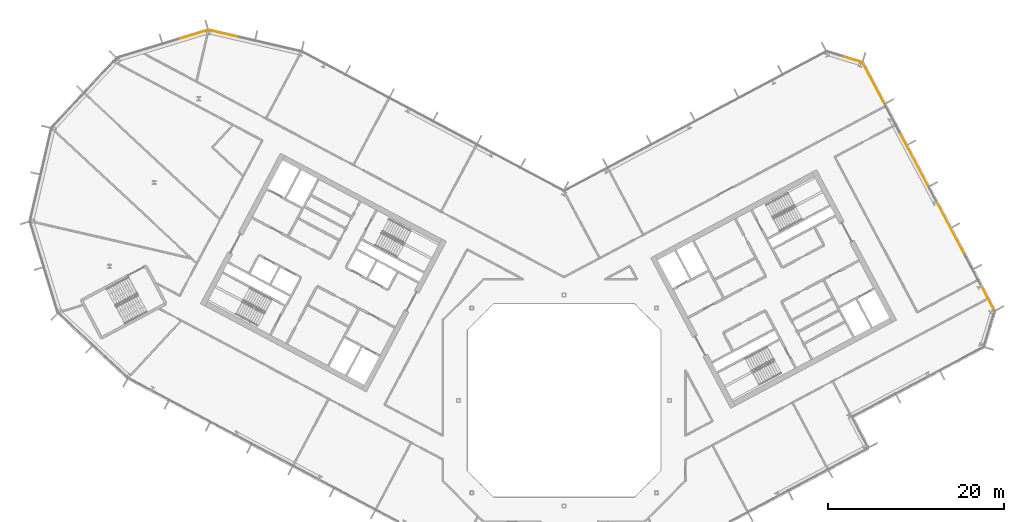
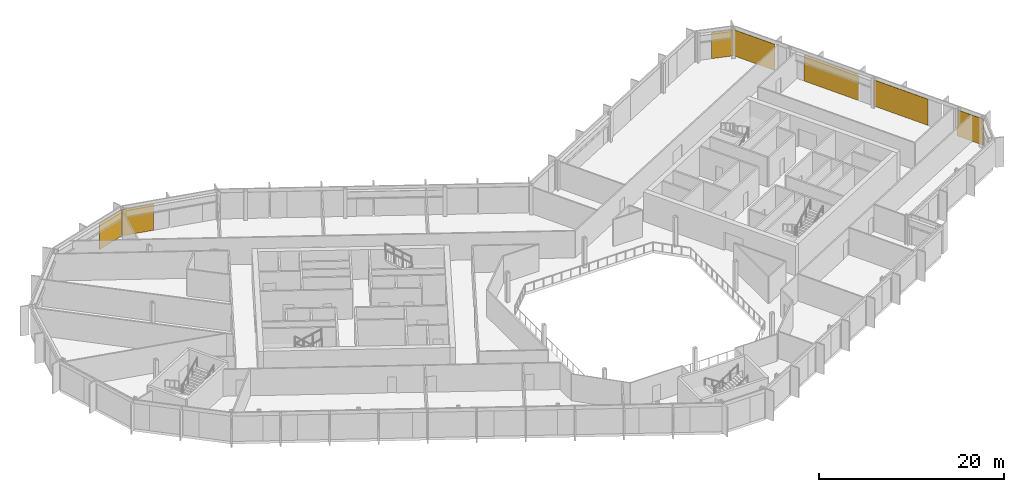
# One storey, part 26 of 26: 7 coverings, 4 elements without a shape of their own.
"""IFC4 building model written with IfcOpenShell, lengths in metres."""

from ifc_helpers import new_model, si_unit, direction, frame, origin, origin_2d, place, context, subcontext, project, spatial, rectangle, extrude, material, layer, layer_set, type_object, element, aggregate, save


model = new_model("IFC4")

# Units and contexts
model_context = context("Model", 3, precision=1e-05, world=origin(), true_north=direction((0.0, 1.0)))
body_context = subcontext(model_context, "Body", "Model", "MODEL_VIEW")
ifc_project = project(units=[si_unit("LENGTHUNIT", "METRE"), si_unit("AREAUNIT", "SQUARE_METRE"), si_unit("VOLUMEUNIT", "CUBIC_METRE"), si_unit("PLANEANGLEUNIT", "RADIAN"), si_unit("MASSUNIT", "GRAM", prefix="KILO")], contexts=[model_context])

# Site, building, storey
site_placement = place(None, origin())
site = spatial("IfcSite", under=ifc_project, at=site_placement, CompositionType="ELEMENT")
building_placement = place(site_placement, origin())
building = spatial("IfcBuilding", under=site, at=building_placement, Name="Cormorant Relay Tower", CompositionType="ELEMENT")
storey_placement = place(building_placement, frame((0.0, 0.0, 205.199951171875)))
storey = spatial("IfcBuildingStorey", under=building, at=storey_placement, Name="L44", CompositionType="ELEMENT", Elevation=205.199951171875)

# Curtain wall, coverings
ifc_material_1 = material(Name="Aluminium 6063-T6 anodised bronze", Category="aluminium")
ifc_layer_1 = layer(ifc_material_1, 0.199951171875)
ifc_layer_set_1 = layer_set([ifc_layer_1], Name="CW1 unitised bronze curtain wall with vertical fins")
curtain_wall_type = type_object("IfcCurtainWallType", Name="CW1 unitised bronze curtain wall with vertical fins", PredefinedType="NOTDEFINED", material=ifc_layer_set_1)
curtain_wall_1_placement = place(storey_placement, origin())
curtain_wall_1 = element("IfcCurtainWall", 1, at=curtain_wall_1_placement, inside=storey, type_object=curtain_wall_type, Name="CW1 curtain wall 6", PredefinedType="NOTDEFINED")
ifc_material_2 = material(Name="Pale bronze anodised aluminium insulated panel", Category="aluminium")
ifc_layer_2 = layer(ifc_material_2, 0.0400390625)
ifc_layer_set_2 = layer_set([ifc_layer_2], Name="CW1 pale bronze insulated panel 40")
covering_type = type_object("IfcCoveringType", Name="CW1 pale bronze insulated panel 40", PredefinedType="CLADDING", material=ifc_layer_set_2)
covering_1_placement = place(storey_placement, frame((48.142333984375, 11.74267578125, 0.0), z_axis=(0.0, 0.0, 1.0), x_axis=(-0.469471562786, 0.882947592859, 0.0)))
covering_1 = element("IfcCovering", 2, at=covering_1_placement, type_object=covering_type, Name="CW1 panel S00", PredefinedType="CLADDING", context=body_context, shape_type="SweptSolid", body=[
    extrude(rectangle(XDim=3.38330078125, YDim=0.0400390625, at=origin_2d()), origin(), (0.0, 0.0, 1.0), 3.449951171875),
])
covering_2_placement = place(storey_placement, frame((43.964111328125, 19.600830078125, 0.0), z_axis=(0.0, 0.0, 1.0), x_axis=(-0.469471562786, 0.882947592859, 0.0)))
covering_2 = element("IfcCovering", 3, at=covering_2_placement, type_object=covering_type, Name="CW1 panel S03", PredefinedType="CLADDING", context=body_context, shape_type="SweptSolid", body=[
    extrude(rectangle(XDim=6.916748046875, YDim=0.0400390625, at=origin_2d()), origin(), (0.0, 0.0, 1.0), 3.449951171875),
])
covering_3_placement = place(storey_placement, frame((39.801513671875, 27.4296875, 0.0), z_axis=(0.0, 0.0, 1.0), x_axis=(-0.469471562786, 0.882947592859, 0.0)))
covering_3 = element("IfcCovering", 4, at=covering_3_placement, type_object=covering_type, Name="CW1 panel S05", PredefinedType="CLADDING", context=body_context, shape_type="SweptSolid", body=[
    extrude(rectangle(XDim=6.916748046875, YDim=0.0400390625, at=origin_2d()), origin(), (0.0, 0.0, 1.0), 3.449951171875),
])
covering_4_placement = place(storey_placement, frame((35.18310546875, 36.11572265625, 0.0), z_axis=(0.0, 0.0, 1.0), x_axis=(-0.469471562786, 0.882947592859, 0.0)))
covering_4 = element("IfcCovering", 5, at=covering_4_placement, type_object=covering_type, Name="CW1 panel S07", PredefinedType="CLADDING", context=body_context, shape_type="SweptSolid", body=[
    extrude(rectangle(XDim=5.25830078125, YDim=0.0400390625, at=origin_2d()), origin(), (0.0, 0.0, 1.0), 3.449951171875),
])
aggregate(curtain_wall_1, [covering_1, covering_2, covering_3, covering_4])

# Curtain wall, covering
curtain_wall_2_placement = place(storey_placement, origin())
curtain_wall_2 = element("IfcCurtainWall", 6, at=curtain_wall_2_placement, inside=storey, type_object=curtain_wall_type, Name="CW1 curtain wall 7", PredefinedType="NOTDEFINED")
covering_5_placement = place(storey_placement, frame((32.73291015625, 38.81494140625, 0.0), z_axis=(0.0, 0.0, 1.0), x_axis=(-0.956304755963, 0.292371704723, 0.0)))
covering_5 = element("IfcCovering", 7, at=covering_5_placement, type_object=covering_type, Name="CW1 panel S00", PredefinedType="CLADDING", context=body_context, shape_type="SweptSolid", body=[
    extrude(rectangle(XDim=2.36767578125, YDim=0.0400390625, at=origin_2d()), origin(), (0.0, 0.0, 1.0), 3.449951171875),
])
aggregate(curtain_wall_2, [covering_5])

curtain_wall_3_placement = place(storey_placement, origin())
curtain_wall_3 = element("IfcCurtainWall", 8, at=curtain_wall_3_placement, inside=storey, type_object=curtain_wall_type, Name="CW1 curtain wall 10", PredefinedType="NOTDEFINED")
covering_6_placement = place(storey_placement, frame((-38.7265625, 41.732421875, 0.0), z_axis=(0.0, 0.0, 1.0), x_axis=(-0.974370064785, 0.224951054344, 0.0)))
covering_6 = element("IfcCovering", 9, at=covering_6_placement, type_object=covering_type, Name="CW1 panel S03", PredefinedType="CLADDING", context=body_context, shape_type="SweptSolid", body=[
    extrude(rectangle(XDim=3.560302734375, YDim=0.0400390625, at=origin_2d()), origin(), (0.0, 0.0, 1.0), 3.449951171875),
])
aggregate(curtain_wall_3, [covering_6])

curtain_wall_4_placement = place(storey_placement, origin())
curtain_wall_4 = element("IfcCurtainWall", 10, at=curtain_wall_4_placement, inside=storey, type_object=curtain_wall_type, Name="CW1 curtain wall 11", PredefinedType="NOTDEFINED")
covering_7_placement = place(storey_placement, frame((-42.209716796875, 41.60107421875, 0.0), z_axis=(0.0, 0.0, 1.0), x_axis=(-0.956304755963, -0.292371704723, 0.0)))
covering_7 = element("IfcCovering", 11, at=covering_7_placement, type_object=covering_type, Name="CW1 panel S00", PredefinedType="CLADDING", context=body_context, shape_type="SweptSolid", body=[
    extrude(rectangle(XDim=3.485107421875, YDim=0.0400390625, at=origin_2d()), origin(), (0.0, 0.0, 1.0), 3.449951171875),
])
aggregate(curtain_wall_4, [covering_7])

save(model, "model.ifc")
